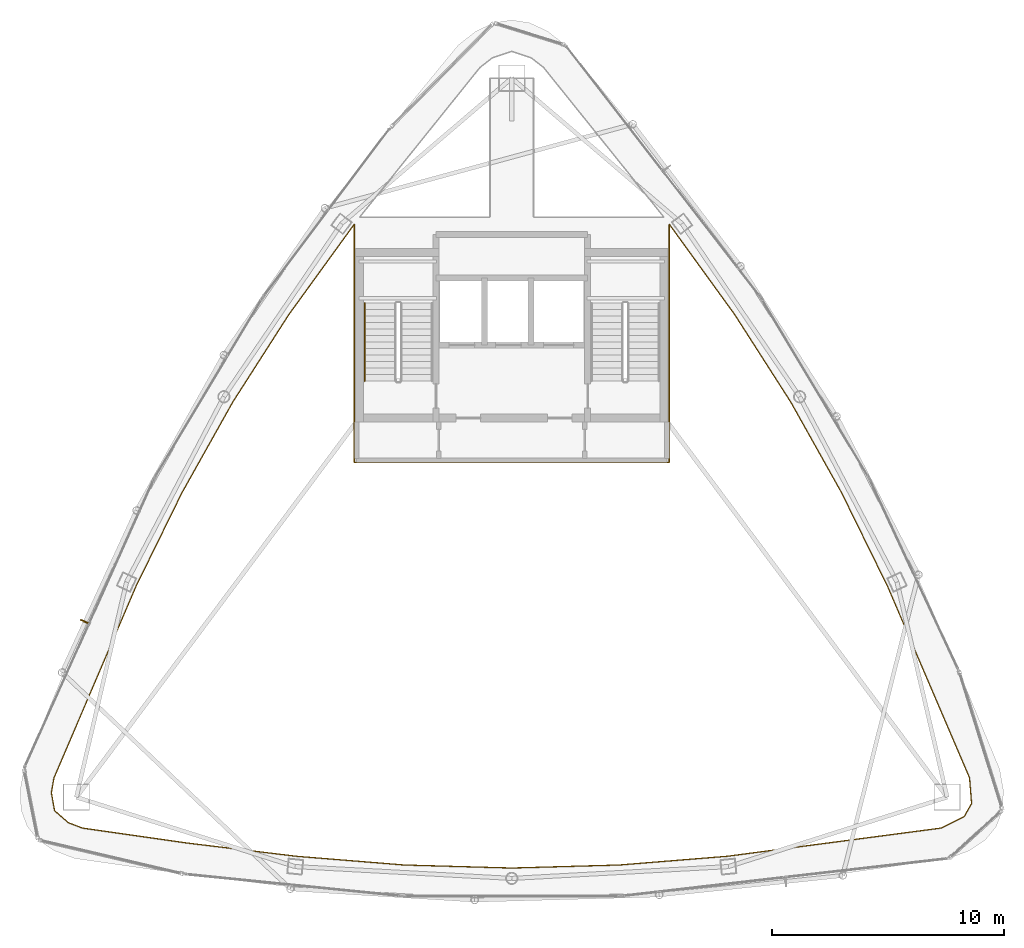
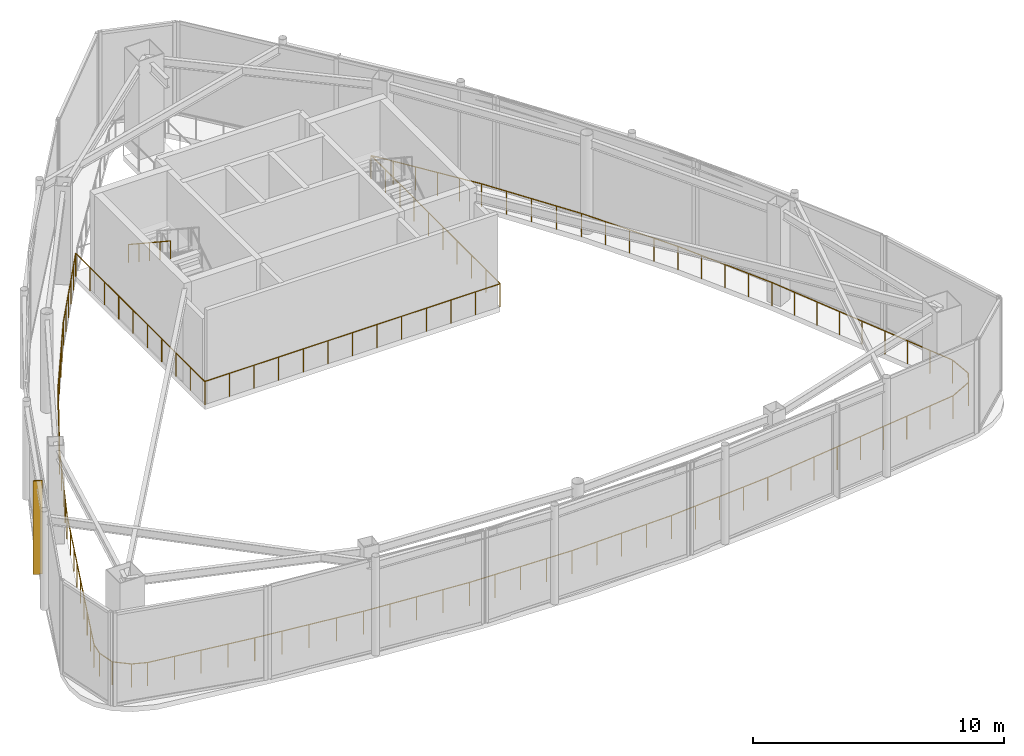
# One storey, part 17 of 19: 2 railings, 1 shading device.
"""IFC4 building model written with IfcOpenShell, lengths in metres."""

from ifc_helpers import new_model, si_unit, direction, frame, origin, origin_2d, place, context, subcontext, project, spatial, rectangle, circle, extrude, material, layer, layer_set, type_object, element, save


model = new_model("IFC4")

# Units and contexts
model_context = context("Model", 3, precision=1e-05, world=origin(), true_north=direction((0.0, 1.0)))
body_context = subcontext(model_context, "Body", "Model", "MODEL_VIEW")
ifc_project = project(units=[si_unit("LENGTHUNIT", "METRE"), si_unit("AREAUNIT", "SQUARE_METRE"), si_unit("VOLUMEUNIT", "CUBIC_METRE"), si_unit("PLANEANGLEUNIT", "RADIAN"), si_unit("MASSUNIT", "GRAM", prefix="KILO")], contexts=[model_context])

# Site, building, storey
site_placement = place(None, origin())
site = spatial("IfcSite", under=ifc_project, at=site_placement, CompositionType="ELEMENT")
building_placement = place(site_placement, origin())
building = spatial("IfcBuilding", under=site, at=building_placement, Name="Orvanel Arch Residences", CompositionType="ELEMENT")
storey_placement = place(building_placement, frame((0.0, 0.0, 286.10009765625)))
storey = spatial("IfcBuildingStorey", under=building, at=storey_placement, Name="L81", CompositionType="ELEMENT", Elevation=286.10009765625)

# Shading device
ifc_material_1 = material(Name="Bronze-anodised aluminium AA6063-T6", Category="aluminium")
ifc_layer = layer(ifc_material_1, 0.06005859375)
ifc_layer_set = layer_set([ifc_layer], Name="Bronze-anodised aluminium AA6063-T6")
shading_device_type = type_object("IfcShadingDeviceType", Name="FIN-BRZ-380", PredefinedType="USERDEFINED", material=ifc_layer_set)
shading_device_placement = place(storey_placement, frame((14.550048828125, 17.93603515625, 0.0), z_axis=(0.0, 0.0, 1.0), x_axis=(-0.912120116172, 0.409923033842, 0.0)))
element("IfcShadingDevice", 1, at=shading_device_placement, inside=storey, type_object=shading_device_type, Name="L81 Anodised Bronze Mullion FIN 01", ObjectType="FIN", PredefinedType="USERDEFINED", context=body_context, shape_type="SweptSolid", body=[
    extrude(rectangle(XDim=0.3798828125, YDim=0.06005859375, at=origin_2d()), origin(), (0.0, 0.0, 1.0), 4.550048828125),
])

# Railings
railing_type_1 = type_object("IfcRailingType", Name="RL-ATR-1150", PredefinedType="BALUSTRADE", material=ifc_material_1)
railing_1_placement = place(storey_placement, frame((42.626953125, 31.18310546875, 0.0)))
element("IfcRailing", 2, at=railing_1_placement, inside=storey, type_object=railing_type_1, Name="L81 Crown Conservatory Void 2 Balustrade", PredefinedType="BALUSTRADE", context=body_context, shape_type="SweptSolid", body=[
    extrude(circle(Radius=0.02392578125, at=origin_2d()), frame((0.000732421875, -0.001220703125, 1.1259765625), z_axis=(0.539449316925, -0.842018072531, 0.0), x_axis=(0.842018072531, 0.539449316925, 0.0)), (0.0, 0.0, 1.0), 4.479248046875),
    extrude(circle(Radius=0.02392578125, at=origin_2d()), frame((2.418701171875, -3.775390625, 1.1259765625), z_axis=(0.488877026727, -0.872352711201, 0.0), x_axis=(0.872352711201, 0.488877026727, 0.0)), (0.0, 0.0, 1.0), 4.47900390625),
    extrude(circle(Radius=0.02392578125, at=origin_2d()), frame((4.60986328125, -7.685546875, 1.1259765625), z_axis=(0.440900053408, -0.897556205986, 0.0), x_axis=(0.897556205986, 0.440900053408, 0.0)), (0.0, 0.0, 1.0), 4.506103515625),
    extrude(circle(Radius=0.02392578125, at=origin_2d()), frame((6.59765625, -11.732666015625, 1.1259765625), z_axis=(0.393624390708, -0.919271363113, 0.0), x_axis=(0.919271363113, 0.393624390708, 0.0)), (0.0, 0.0, 1.0), 8.98974609375),
    extrude(circle(Radius=0.02392578125, at=origin_2d()), frame((10.136962890625, -19.99951171875, 1.1259765625), z_axis=(0.078340921398, -0.996926627207, 0.0), x_axis=(0.996926627207, 0.078340921398, 0.0)), (0.0, 0.0, 1.0), 1.109619140625),
    extrude(circle(Radius=0.02392578125, at=origin_2d()), frame((10.223388671875, -21.1083984375, 1.1259765625), z_axis=(-0.492907253875, -0.870081857688, 0.0), x_axis=(0.870081857688, -0.492907253875, 0.0)), (0.0, 0.0, 1.0), 0.640380859375),
    extrude(circle(Radius=0.02392578125, at=origin_2d()), frame((9.90576171875, -21.667724609375, 1.1259765625), z_axis=(-0.89473528006, -0.446596886035, 0.0), x_axis=(0.446596886035, -0.89473528006, 0.0)), (0.0, 0.0, 1.0), 1.105712890625),
    extrude(circle(Radius=0.02392578125, at=origin_2d()), frame((8.91357421875, -22.162353515625, 1.1259765625), z_axis=(-0.99141795724, -0.130730386908, 0.0), x_axis=(0.130730386908, -0.99141795724, 0.0)), (0.0, 0.0, 1.0), 9.31396484375),
    extrude(circle(Radius=0.02392578125, at=origin_2d()), frame((-0.323486328125, -23.380126953125, 1.1259765625), z_axis=(-0.996741433639, -0.08066296837, 0.0), x_axis=(0.08066296837, -0.996741433639, 0.0)), (0.0, 0.0, 1.0), 4.670166015625),
    extrude(circle(Radius=0.02392578125, at=origin_2d()), frame((-4.9814453125, -23.757080078125, 1.1259765625), z_axis=(-0.999602259989, -0.028201450752, 0.0), x_axis=(0.028201450752, -0.999602259989, 0.0)), (0.0, 0.0, 1.0), 4.645751953125),
    extrude(circle(Radius=0.02392578125, at=origin_2d()), frame((-9.62841796875, -23.88818359375, 1.1259765625), z_axis=(-0.999602259989, 0.028201450752, 0.0), x_axis=(-0.028201450752, -0.999602259989, 0.0)), (0.0, 0.0, 1.0), 4.645751953125),
    extrude(circle(Radius=0.02392578125, at=origin_2d()), frame((-14.275390625, -23.757080078125, 1.1259765625), z_axis=(-0.996741433639, 0.08066296837, 0.0), x_axis=(-0.08066296837, -0.996741433639, 0.0)), (0.0, 0.0, 1.0), 4.670166015625),
    extrude(circle(Radius=0.02392578125, at=origin_2d()), frame((-18.933349609375, -23.3798828125, 1.1259765625), z_axis=(-0.992737718176, 0.120298889897, 0.0), x_axis=(-0.120298889897, -0.992737718176, 0.0)), (0.0, 0.0, 1.0), 4.71142578125),
    extrude(circle(Radius=0.02392578125, at=origin_2d()), frame((-23.613525390625, -22.812744140625, 1.1259765625), z_axis=(-0.989952675685, 0.141399080277, 0.0), x_axis=(-0.141399080277, -0.989952675685, 0.0)), (0.0, 0.0, 1.0), 4.60009765625),
    extrude(circle(Radius=0.02392578125, at=origin_2d()), frame((-28.17041015625, -22.16162109375, 1.1259765625), z_axis=(-0.933423126079, 0.358777462643, 0.0), x_axis=(-0.358777462643, -0.933423126079, 0.0)), (0.0, 0.0, 1.0), 0.646240234375),
    extrude(circle(Radius=0.02392578125, at=origin_2d()), frame((-28.776123046875, -21.92822265625, 1.1259765625), z_axis=(-0.753867638629, 0.657026318673, 0.0), x_axis=(-0.657026318673, -0.753867638629, 0.0)), (0.0, 0.0, 1.0), 0.781005859375),
    extrude(circle(Radius=0.02392578125, at=origin_2d()), frame((-29.3662109375, -21.41259765625, 1.1259765625), z_axis=(-0.175683017964, 0.984446787388, 0.0), x_axis=(-0.984446787388, -0.175683017964, 0.0)), (0.0, 0.0, 1.0), 0.7822265625),
    extrude(circle(Radius=0.02392578125, at=origin_2d()), frame((-29.503662109375, -20.6396484375, 1.1259765625), z_axis=(0.173124037048, 0.984900029341, 0.0), x_axis=(-0.984900029341, 0.173124037048, 0.0)), (0.0, 0.0, 1.0), 0.64990234375),
    extrude(circle(Radius=0.02392578125, at=origin_2d()), frame((-29.390380859375, -19.99658203125, 1.1259765625), z_axis=(0.393624390708, 0.919271363113, 0.0), x_axis=(-0.919271363113, 0.393624390708, 0.0)), (0.0, 0.0, 1.0), 8.98974609375),
    extrude(circle(Radius=0.02392578125, at=origin_2d()), frame((-25.850341796875, -11.729736328125, 1.1259765625), z_axis=(0.440900053408, 0.897556205986, 0.0), x_axis=(-0.897556205986, 0.440900053408, 0.0)), (0.0, 0.0, 1.0), 4.506103515625),
    extrude(circle(Radius=0.02392578125, at=origin_2d()), frame((-23.8623046875, -7.682861328125, 1.1259765625), z_axis=(0.488877026727, 0.872352711201, 0.0), x_axis=(-0.872352711201, 0.488877026727, 0.0)), (0.0, 0.0, 1.0), 4.47900390625),
    extrude(circle(Radius=0.02392578125, at=origin_2d()), frame((-21.671142578125, -3.77294921875, 1.1259765625), z_axis=(0.539449316925, 0.842018072531, 0.0), x_axis=(-0.842018072531, 0.539449316925, 0.0)), (0.0, 0.0, 1.0), 4.479248046875),
    extrude(circle(Radius=0.02392578125, at=origin_2d()), frame((-19.2529296875, 0.001220703125, 1.1259765625), z_axis=(0.58641472095, 0.810010972181, 0.0), x_axis=(-0.810010972181, 0.58641472095, 0.0)), (0.0, 0.0, 1.0), 4.817626953125),
    extrude(circle(Radius=0.02392578125, at=origin_2d()), frame((-16.427001953125, 3.9033203125, 1.1259765625), z_axis=(0.0, -1.0, 0.0), x_axis=(1.0, 0.0, 0.0)), (0.0, 0.0, 1.0), 10.284912109375),
    extrude(circle(Radius=0.02392578125, at=origin_2d()), frame((-16.425537109375, -6.383056640625, 1.1259765625), z_axis=(1.0, 0.0, 0.0), x_axis=(0.0, 1.0, 0.0)), (0.0, 0.0, 1.0), 13.59716796875),
    extrude(circle(Radius=0.02392578125, at=origin_2d()), frame((-2.826904296875, -6.381591796875, 1.1259765625), z_axis=(0.0, 1.0, 0.0), x_axis=(-1.0, 0.0, 0.0)), (0.0, 0.0, 1.0), 10.284912109375),
    extrude(circle(Radius=0.02392578125, at=origin_2d()), frame((-2.825927734375, 3.903564453125, 1.1259765625), z_axis=(0.58641472095, -0.810010972181, 0.0), x_axis=(0.810010972181, 0.58641472095, 0.0)), (0.0, 0.0, 1.0), 4.817626953125),
    extrude(circle(Radius=0.02099609375, at=origin_2d()), origin(), (0.0, 0.0, 1.0), 1.099853515625),
    extrude(circle(Radius=0.02099609375, at=origin_2d()), frame((0.6044921875, -0.943603515625, 0.0)), (0.0, 0.0, 1.0), 1.099853515625),
    extrude(circle(Radius=0.02099609375, at=origin_2d()), frame((1.208984375, -1.88720703125, 0.0)), (0.0, 0.0, 1.0), 1.099853515625),
    extrude(circle(Radius=0.02099609375, at=origin_2d()), frame((1.8134765625, -2.83056640625, 0.0)), (0.0, 0.0, 1.0), 1.099853515625),
    extrude(circle(Radius=0.02099609375, at=origin_2d()), frame((2.41796875, -3.774169921875, 0.0)), (0.0, 0.0, 1.0), 1.099853515625),
    extrude(circle(Radius=0.02099609375, at=origin_2d()), frame((2.9658203125, -4.751708984375, 0.0)), (0.0, 0.0, 1.0), 1.099853515625),
    extrude(circle(Radius=0.02099609375, at=origin_2d()), frame((3.513671875, -5.72900390625, 0.0)), (0.0, 0.0, 1.0), 1.099853515625),
    extrude(circle(Radius=0.02099609375, at=origin_2d()), frame((4.061279296875, -6.70654296875, 0.0)), (0.0, 0.0, 1.0), 1.099853515625),
    extrude(circle(Radius=0.02099609375, at=origin_2d()), frame((4.609130859375, -7.68408203125, 0.0)), (0.0, 0.0, 1.0), 1.099853515625),
    extrude(circle(Radius=0.02099609375, at=origin_2d()), frame((5.106201171875, -8.69580078125, 0.0)), (0.0, 0.0, 1.0), 1.099853515625),
    extrude(circle(Radius=0.02099609375, at=origin_2d()), frame((5.60302734375, -9.70751953125, 0.0)), (0.0, 0.0, 1.0), 1.099853515625),
    extrude(circle(Radius=0.02099609375, at=origin_2d()), frame((6.10009765625, -10.719482421875, 0.0)), (0.0, 0.0, 1.0), 1.099853515625),
    extrude(circle(Radius=0.02099609375, at=origin_2d()), frame((6.59716796875, -11.731201171875, 0.0)), (0.0, 0.0, 1.0), 1.099853515625),
    extrude(circle(Radius=0.02099609375, at=origin_2d()), frame((7.03955078125, -12.7646484375, 0.0)), (0.0, 0.0, 1.0), 1.099853515625),
    extrude(circle(Radius=0.02099609375, at=origin_2d()), frame((7.482177734375, -13.7978515625, 0.0)), (0.0, 0.0, 1.0), 1.099853515625),
    extrude(circle(Radius=0.02099609375, at=origin_2d()), frame((7.924560546875, -14.831298828125, 0.0)), (0.0, 0.0, 1.0), 1.099853515625),
    extrude(circle(Radius=0.02099609375, at=origin_2d()), frame((8.3671875, -15.86474609375, 0.0)), (0.0, 0.0, 1.0), 1.099853515625),
    extrude(circle(Radius=0.02099609375, at=origin_2d()), frame((8.8095703125, -16.89794921875, 0.0)), (0.0, 0.0, 1.0), 1.099853515625),
    extrude(circle(Radius=0.02099609375, at=origin_2d()), frame((9.251953125, -17.931396484375, 0.0)), (0.0, 0.0, 1.0), 1.099853515625),
    extrude(circle(Radius=0.02099609375, at=origin_2d()), frame((9.694580078125, -18.964599609375, 0.0)), (0.0, 0.0, 1.0), 1.099853515625),
    extrude(circle(Radius=0.02099609375, at=origin_2d()), frame((10.136962890625, -19.998046875, 0.0)), (0.0, 0.0, 1.0), 1.099853515625),
    extrude(circle(Radius=0.02099609375, at=origin_2d()), frame((10.22412109375, -21.107177734375, 0.0)), (0.0, 0.0, 1.0), 1.099853515625),
    extrude(circle(Radius=0.02099609375, at=origin_2d()), frame((9.906982421875, -21.6669921875, 0.0)), (0.0, 0.0, 1.0), 1.099853515625),
    extrude(circle(Radius=0.02099609375, at=origin_2d()), frame((8.9150390625, -22.162109375, 0.0)), (0.0, 0.0, 1.0), 1.099853515625),
    extrude(circle(Radius=0.02099609375, at=origin_2d()), frame((7.760498046875, -22.314453125, 0.0)), (0.0, 0.0, 1.0), 1.099853515625),
    extrude(circle(Radius=0.02099609375, at=origin_2d()), frame((6.605712890625, -22.466552734375, 0.0)), (0.0, 0.0, 1.0), 1.099853515625),
    extrude(circle(Radius=0.02099609375, at=origin_2d()), frame((5.451171875, -22.618896484375, 0.0)), (0.0, 0.0, 1.0), 1.099853515625),
    extrude(circle(Radius=0.02099609375, at=origin_2d()), frame((4.29638671875, -22.77099609375, 0.0)), (0.0, 0.0, 1.0), 1.099853515625),
    extrude(circle(Radius=0.02099609375, at=origin_2d()), frame((3.141845703125, -22.92333984375, 0.0)), (0.0, 0.0, 1.0), 1.099853515625),
    extrude(circle(Radius=0.02099609375, at=origin_2d()), frame((1.9873046875, -23.07568359375, 0.0)), (0.0, 0.0, 1.0), 1.099853515625),
    extrude(circle(Radius=0.02099609375, at=origin_2d()), frame((0.83251953125, -23.227783203125, 0.0)), (0.0, 0.0, 1.0), 1.099853515625),
    extrude(circle(Radius=0.02099609375, at=origin_2d()), frame((-0.322021484375, -23.380126953125, 0.0)), (0.0, 0.0, 1.0), 1.099853515625),
    extrude(circle(Radius=0.02099609375, at=origin_2d()), frame((-1.486572265625, -23.474365234375, 0.0)), (0.0, 0.0, 1.0), 1.099853515625),
    extrude(circle(Radius=0.02099609375, at=origin_2d()), frame((-2.65087890625, -23.568603515625, 0.0)), (0.0, 0.0, 1.0), 1.099853515625),
    extrude(circle(Radius=0.02099609375, at=origin_2d()), frame((-3.8154296875, -23.662841796875, 0.0)), (0.0, 0.0, 1.0), 1.099853515625),
    extrude(circle(Radius=0.02099609375, at=origin_2d()), frame((-4.97998046875, -23.757080078125, 0.0)), (0.0, 0.0, 1.0), 1.099853515625),
    extrude(circle(Radius=0.02099609375, at=origin_2d()), frame((-6.1416015625, -23.789794921875, 0.0)), (0.0, 0.0, 1.0), 1.099853515625),
    extrude(circle(Radius=0.02099609375, at=origin_2d()), frame((-7.303466796875, -23.82275390625, 0.0)), (0.0, 0.0, 1.0), 1.099853515625),
    extrude(circle(Radius=0.02099609375, at=origin_2d()), frame((-8.46533203125, -23.85546875, 0.0)), (0.0, 0.0, 1.0), 1.099853515625),
    extrude(circle(Radius=0.02099609375, at=origin_2d()), frame((-9.626953125, -23.88818359375, 0.0)), (0.0, 0.0, 1.0), 1.099853515625),
    extrude(circle(Radius=0.02099609375, at=origin_2d()), frame((-10.78857421875, -23.85546875, 0.0)), (0.0, 0.0, 1.0), 1.099853515625),
    extrude(circle(Radius=0.02099609375, at=origin_2d()), frame((-11.950439453125, -23.82275390625, 0.0)), (0.0, 0.0, 1.0), 1.099853515625),
    extrude(circle(Radius=0.02099609375, at=origin_2d()), frame((-13.1123046875, -23.789794921875, 0.0)), (0.0, 0.0, 1.0), 1.099853515625),
    extrude(circle(Radius=0.02099609375, at=origin_2d()), frame((-14.27392578125, -23.757080078125, 0.0)), (0.0, 0.0, 1.0), 1.099853515625),
    extrude(circle(Radius=0.02099609375, at=origin_2d()), frame((-15.4384765625, -23.662841796875, 0.0)), (0.0, 0.0, 1.0), 1.099853515625),
    extrude(circle(Radius=0.02099609375, at=origin_2d()), frame((-16.60302734375, -23.568603515625, 0.0)), (0.0, 0.0, 1.0), 1.099853515625),
    extrude(circle(Radius=0.02099609375, at=origin_2d()), frame((-17.767333984375, -23.474365234375, 0.0)), (0.0, 0.0, 1.0), 1.099853515625),
    extrude(circle(Radius=0.02099609375, at=origin_2d()), frame((-18.931884765625, -23.380126953125, 0.0)), (0.0, 0.0, 1.0), 1.099853515625),
    extrude(circle(Radius=0.02099609375, at=origin_2d()), frame((-20.10205078125, -23.23828125, 0.0)), (0.0, 0.0, 1.0), 1.099853515625),
    extrude(circle(Radius=0.02099609375, at=origin_2d()), frame((-21.27197265625, -23.0966796875, 0.0)), (0.0, 0.0, 1.0), 1.099853515625),
    extrude(circle(Radius=0.02099609375, at=origin_2d()), frame((-22.44189453125, -22.954833984375, 0.0)), (0.0, 0.0, 1.0), 1.099853515625),
    extrude(circle(Radius=0.02099609375, at=origin_2d()), frame((-23.612060546875, -22.81298828125, 0.0)), (0.0, 0.0, 1.0), 1.099853515625),
    extrude(circle(Radius=0.02099609375, at=origin_2d()), frame((-24.751220703125, -22.650390625, 0.0)), (0.0, 0.0, 1.0), 1.099853515625),
    extrude(circle(Radius=0.02099609375, at=origin_2d()), frame((-25.890625, -22.487548828125, 0.0)), (0.0, 0.0, 1.0), 1.099853515625),
    extrude(circle(Radius=0.02099609375, at=origin_2d()), frame((-27.02978515625, -22.32470703125, 0.0)), (0.0, 0.0, 1.0), 1.099853515625),
    extrude(circle(Radius=0.02099609375, at=origin_2d()), frame((-28.1689453125, -22.162109375, 0.0)), (0.0, 0.0, 1.0), 1.099853515625),
    extrude(circle(Radius=0.02099609375, at=origin_2d()), frame((-28.77490234375, -21.92919921875, 0.0)), (0.0, 0.0, 1.0), 1.099853515625),
    extrude(circle(Radius=0.02099609375, at=origin_2d()), frame((-29.365966796875, -21.4140625, 0.0)), (0.0, 0.0, 1.0), 1.099853515625),
    extrude(circle(Radius=0.02099609375, at=origin_2d()), frame((-29.50390625, -20.64111328125, 0.0)), (0.0, 0.0, 1.0), 1.099853515625),
    extrude(circle(Radius=0.02099609375, at=origin_2d()), frame((-29.390869140625, -19.998046875, 0.0)), (0.0, 0.0, 1.0), 1.099853515625),
    extrude(circle(Radius=0.02099609375, at=origin_2d()), frame((-28.948486328125, -18.964599609375, 0.0)), (0.0, 0.0, 1.0), 1.099853515625),
    extrude(circle(Radius=0.02099609375, at=origin_2d()), frame((-28.505859375, -17.931396484375, 0.0)), (0.0, 0.0, 1.0), 1.099853515625),
    extrude(circle(Radius=0.02099609375, at=origin_2d()), frame((-28.0634765625, -16.89794921875, 0.0)), (0.0, 0.0, 1.0), 1.099853515625),
    extrude(circle(Radius=0.02099609375, at=origin_2d()), frame((-27.62109375, -15.86474609375, 0.0)), (0.0, 0.0, 1.0), 1.099853515625),
    extrude(circle(Radius=0.02099609375, at=origin_2d()), frame((-27.178466796875, -14.831298828125, 0.0)), (0.0, 0.0, 1.0), 1.099853515625),
    extrude(circle(Radius=0.02099609375, at=origin_2d()), frame((-26.736083984375, -13.7978515625, 0.0)), (0.0, 0.0, 1.0), 1.099853515625),
    extrude(circle(Radius=0.02099609375, at=origin_2d()), frame((-26.29345703125, -12.7646484375, 0.0)), (0.0, 0.0, 1.0), 1.099853515625),
    extrude(circle(Radius=0.02099609375, at=origin_2d()), frame((-25.85107421875, -11.731201171875, 0.0)), (0.0, 0.0, 1.0), 1.099853515625),
    extrude(circle(Radius=0.02099609375, at=origin_2d()), frame((-25.35400390625, -10.719482421875, 0.0)), (0.0, 0.0, 1.0), 1.099853515625),
    extrude(circle(Radius=0.02099609375, at=origin_2d()), frame((-24.85693359375, -9.70751953125, 0.0)), (0.0, 0.0, 1.0), 1.099853515625),
    extrude(circle(Radius=0.02099609375, at=origin_2d()), frame((-24.360107421875, -8.69580078125, 0.0)), (0.0, 0.0, 1.0), 1.099853515625),
    extrude(circle(Radius=0.02099609375, at=origin_2d()), frame((-23.863037109375, -7.68408203125, 0.0)), (0.0, 0.0, 1.0), 1.099853515625),
    extrude(circle(Radius=0.02099609375, at=origin_2d()), frame((-23.315185546875, -6.70654296875, 0.0)), (0.0, 0.0, 1.0), 1.099853515625),
    extrude(circle(Radius=0.02099609375, at=origin_2d()), frame((-22.767578125, -5.72900390625, 0.0)), (0.0, 0.0, 1.0), 1.099853515625),
    extrude(circle(Radius=0.02099609375, at=origin_2d()), frame((-22.2197265625, -4.751708984375, 0.0)), (0.0, 0.0, 1.0), 1.099853515625),
    extrude(circle(Radius=0.02099609375, at=origin_2d()), frame((-21.671875, -3.774169921875, 0.0)), (0.0, 0.0, 1.0), 1.099853515625),
    extrude(circle(Radius=0.02099609375, at=origin_2d()), frame((-21.0673828125, -2.83056640625, 0.0)), (0.0, 0.0, 1.0), 1.099853515625),
    extrude(circle(Radius=0.02099609375, at=origin_2d()), frame((-20.462890625, -1.88720703125, 0.0)), (0.0, 0.0, 1.0), 1.099853515625),
    extrude(circle(Radius=0.02099609375, at=origin_2d()), frame((-19.8583984375, -0.943603515625, 0.0)), (0.0, 0.0, 1.0), 1.099853515625),
    extrude(circle(Radius=0.02099609375, at=origin_2d()), frame((-19.25390625, 0.0, 0.0)), (0.0, 0.0, 1.0), 1.099853515625),
    extrude(circle(Radius=0.02099609375, at=origin_2d()), frame((-18.6884765625, 0.781005859375, 0.0)), (0.0, 0.0, 1.0), 1.099853515625),
    extrude(circle(Radius=0.02099609375, at=origin_2d()), frame((-18.123046875, 1.56201171875, 0.0)), (0.0, 0.0, 1.0), 1.099853515625),
    extrude(circle(Radius=0.02099609375, at=origin_2d()), frame((-17.557861328125, 2.3427734375, 0.0)), (0.0, 0.0, 1.0), 1.099853515625),
    extrude(circle(Radius=0.02099609375, at=origin_2d()), frame((-16.992431640625, 3.123779296875, 0.0)), (0.0, 0.0, 1.0), 1.099853515625),
    extrude(circle(Radius=0.02099609375, at=origin_2d()), frame((-16.427001953125, 3.90478515625, 0.0)), (0.0, 0.0, 1.0), 1.099853515625),
    extrude(circle(Radius=0.02099609375, at=origin_2d()), frame((-16.427001953125, 2.76171875, 0.0)), (0.0, 0.0, 1.0), 1.099853515625),
    extrude(circle(Radius=0.02099609375, at=origin_2d()), frame((-16.427001953125, 1.61865234375, 0.0)), (0.0, 0.0, 1.0), 1.099853515625),
    extrude(circle(Radius=0.02099609375, at=origin_2d()), frame((-16.427001953125, 0.4755859375, 0.0)), (0.0, 0.0, 1.0), 1.099853515625),
    extrude(circle(Radius=0.02099609375, at=origin_2d()), frame((-16.427001953125, -0.66748046875, 0.0)), (0.0, 0.0, 1.0), 1.099853515625),
    extrude(circle(Radius=0.02099609375, at=origin_2d()), frame((-16.427001953125, -1.810791015625, 0.0)), (0.0, 0.0, 1.0), 1.099853515625),
    extrude(circle(Radius=0.02099609375, at=origin_2d()), frame((-16.427001953125, -2.953857421875, 0.0)), (0.0, 0.0, 1.0), 1.099853515625),
    extrude(circle(Radius=0.02099609375, at=origin_2d()), frame((-16.427001953125, -4.096923828125, 0.0)), (0.0, 0.0, 1.0), 1.099853515625),
    extrude(circle(Radius=0.02099609375, at=origin_2d()), frame((-16.427001953125, -5.239990234375, 0.0)), (0.0, 0.0, 1.0), 1.099853515625),
    extrude(circle(Radius=0.02099609375, at=origin_2d()), frame((-16.427001953125, -6.383056640625, 0.0)), (0.0, 0.0, 1.0), 1.099853515625),
    extrude(circle(Radius=0.02099609375, at=origin_2d()), frame((-15.293701171875, -6.383056640625, 0.0)), (0.0, 0.0, 1.0), 1.099853515625),
    extrude(circle(Radius=0.02099609375, at=origin_2d()), frame((-14.160400390625, -6.383056640625, 0.0)), (0.0, 0.0, 1.0), 1.099853515625),
    extrude(circle(Radius=0.02099609375, at=origin_2d()), frame((-13.02685546875, -6.383056640625, 0.0)), (0.0, 0.0, 1.0), 1.099853515625),
    extrude(circle(Radius=0.02099609375, at=origin_2d()), frame((-11.8935546875, -6.383056640625, 0.0)), (0.0, 0.0, 1.0), 1.099853515625),
    extrude(circle(Radius=0.02099609375, at=origin_2d()), frame((-10.76025390625, -6.383056640625, 0.0)), (0.0, 0.0, 1.0), 1.099853515625),
    extrude(circle(Radius=0.02099609375, at=origin_2d()), frame((-9.626953125, -6.383056640625, 0.0)), (0.0, 0.0, 1.0), 1.099853515625),
    extrude(circle(Radius=0.02099609375, at=origin_2d()), frame((-8.49365234375, -6.383056640625, 0.0)), (0.0, 0.0, 1.0), 1.099853515625),
    extrude(circle(Radius=0.02099609375, at=origin_2d()), frame((-7.3603515625, -6.383056640625, 0.0)), (0.0, 0.0, 1.0), 1.099853515625),
    extrude(circle(Radius=0.02099609375, at=origin_2d()), frame((-6.22705078125, -6.383056640625, 0.0)), (0.0, 0.0, 1.0), 1.099853515625),
    extrude(circle(Radius=0.02099609375, at=origin_2d()), frame((-5.093505859375, -6.383056640625, 0.0)), (0.0, 0.0, 1.0), 1.099853515625),
    extrude(circle(Radius=0.02099609375, at=origin_2d()), frame((-3.960205078125, -6.383056640625, 0.0)), (0.0, 0.0, 1.0), 1.099853515625),
    extrude(circle(Radius=0.02099609375, at=origin_2d()), frame((-2.826904296875, -6.383056640625, 0.0)), (0.0, 0.0, 1.0), 1.099853515625),
    extrude(circle(Radius=0.02099609375, at=origin_2d()), frame((-2.826904296875, -5.239990234375, 0.0)), (0.0, 0.0, 1.0), 1.099853515625),
    extrude(circle(Radius=0.02099609375, at=origin_2d()), frame((-2.826904296875, -4.096923828125, 0.0)), (0.0, 0.0, 1.0), 1.099853515625),
    extrude(circle(Radius=0.02099609375, at=origin_2d()), frame((-2.826904296875, -2.953857421875, 0.0)), (0.0, 0.0, 1.0), 1.099853515625),
    extrude(circle(Radius=0.02099609375, at=origin_2d()), frame((-2.826904296875, -1.810791015625, 0.0)), (0.0, 0.0, 1.0), 1.099853515625),
    extrude(circle(Radius=0.02099609375, at=origin_2d()), frame((-2.826904296875, -0.66748046875, 0.0)), (0.0, 0.0, 1.0), 1.099853515625),
    extrude(circle(Radius=0.02099609375, at=origin_2d()), frame((-2.826904296875, 0.4755859375, 0.0)), (0.0, 0.0, 1.0), 1.099853515625),
    extrude(circle(Radius=0.02099609375, at=origin_2d()), frame((-2.826904296875, 1.61865234375, 0.0)), (0.0, 0.0, 1.0), 1.099853515625),
    extrude(circle(Radius=0.02099609375, at=origin_2d()), frame((-2.826904296875, 2.76171875, 0.0)), (0.0, 0.0, 1.0), 1.099853515625),
    extrude(circle(Radius=0.02099609375, at=origin_2d()), frame((-2.826904296875, 3.90478515625, 0.0)), (0.0, 0.0, 1.0), 1.099853515625),
    extrude(circle(Radius=0.02099609375, at=origin_2d()), frame((-2.261474609375, 3.123779296875, 0.0)), (0.0, 0.0, 1.0), 1.099853515625),
    extrude(circle(Radius=0.02099609375, at=origin_2d()), frame((-1.696044921875, 2.3427734375, 0.0)), (0.0, 0.0, 1.0), 1.099853515625),
    extrude(circle(Radius=0.02099609375, at=origin_2d()), frame((-1.130859375, 1.56201171875, 0.0)), (0.0, 0.0, 1.0), 1.099853515625),
    extrude(circle(Radius=0.02099609375, at=origin_2d()), frame((-0.5654296875, 0.781005859375, 0.0)), (0.0, 0.0, 1.0), 1.099853515625),
])
ifc_material_2 = material(Name="Structural steel AS/NZS 1163 C350L0 (Grade 350)", Category="steel")
railing_type_2 = type_object("IfcRailingType", Name="RL-STAIR-HAND", PredefinedType="HANDRAIL", material=ifc_material_2)
railing_2_placement = place(storey_placement, frame((26.64990234375, 31.679931640625, 2.58447265625)))
element("IfcRailing", 3, at=railing_2_placement, inside=storey, type_object=railing_type_2, Name="L81 ST-1 stair handrail 2", PredefinedType="HANDRAIL", context=body_context, shape_type="SweptSolid", body=[
    extrude(circle(Radius=0.02392578125, at=origin_2d()), frame((0.0, -0.001220703125, 0.876708984375), z_axis=(0.0, -0.834858096282, 0.550465220583), x_axis=(1.0, 0.0, 0.0)), (0.0, 0.0, 1.0), 4.021484375),
    extrude(circle(Radius=0.02099609375, at=origin_2d()), origin(), (0.0, 0.0, 1.0), 0.849853515625),
    extrude(circle(Radius=0.02099609375, at=origin_2d()), frame((0.0, -0.83984375, 0.5537109375)), (0.0, 0.0, 1.0), 0.849853515625),
    extrude(circle(Radius=0.02099609375, at=origin_2d()), frame((0.0, -1.679931640625, 1.107666015625)), (0.0, 0.0, 1.0), 0.849853515625),
    extrude(circle(Radius=0.02099609375, at=origin_2d()), frame((0.0, -2.52001953125, 1.66162109375)), (0.0, 0.0, 1.0), 0.849853515625),
    extrude(circle(Radius=0.02099609375, at=origin_2d()), frame((0.0, -3.35986328125, 2.21533203125)), (0.0, 0.0, 1.0), 0.849853515625),
])

save(model, "model.ifc")
